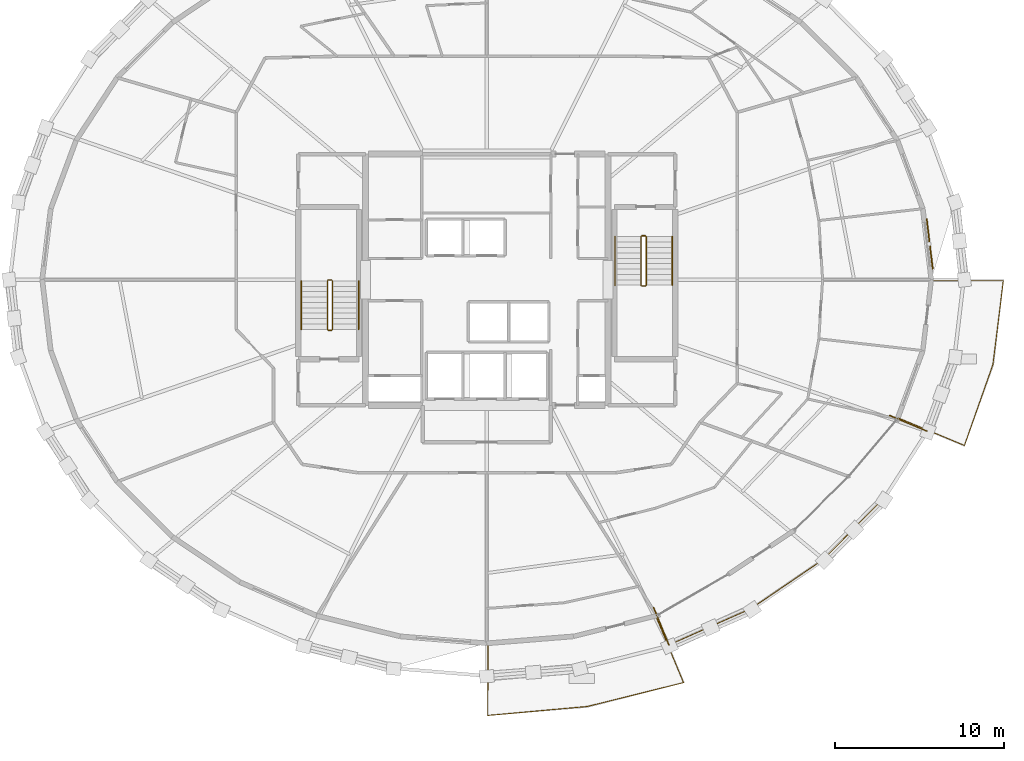
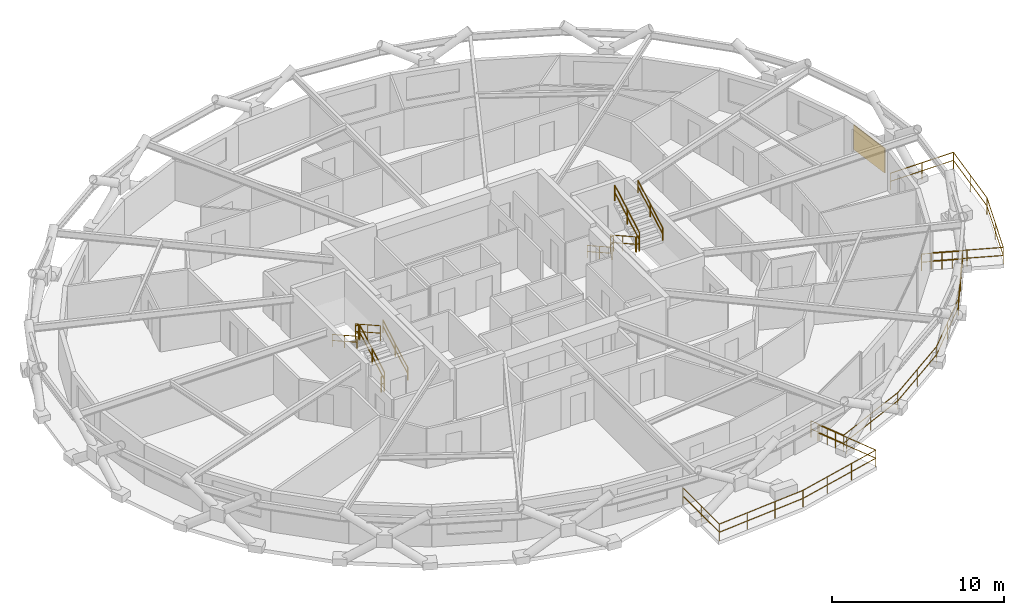
# One storey, part 14 of 14: 17 railings, 1 shading device.
"""IFC4 building model written with IfcOpenShell, lengths in metres."""

from ifc_helpers import new_model, si_unit, direction, frame, origin, origin_2d, place, context, subcontext, project, spatial, rectangle, circle, extrude, material, layer, layer_set, type_object, element, save


model = new_model("IFC4")

# Units and contexts
model_context = context("Model", 3, precision=1e-05, world=origin(), true_north=direction((0.0, 1.0)))
body_context = subcontext(model_context, "Body", "Model", "MODEL_VIEW")
ifc_project = project(units=[si_unit("LENGTHUNIT", "METRE"), si_unit("AREAUNIT", "SQUARE_METRE"), si_unit("VOLUMEUNIT", "CUBIC_METRE"), si_unit("PLANEANGLEUNIT", "RADIAN"), si_unit("MASSUNIT", "GRAM", prefix="KILO")], contexts=[model_context])

# Site, building, storey
site_placement = place(None, origin())
site = spatial("IfcSite", under=ifc_project, at=site_placement, CompositionType="ELEMENT")
building_placement = place(site_placement, origin())
building = spatial("IfcBuilding", under=site, at=building_placement, Name="Veldorina Hangang Commons", CompositionType="ELEMENT")
storey_placement = place(building_placement, frame((0.0, 0.0, 149.60009765625)))
storey = spatial("IfcBuildingStorey", under=building, at=storey_placement, Name="L38", CompositionType="ELEMENT", Elevation=149.60009765625)

# Railings
ifc_material_1 = material(Name="Glass Laminated Safety Balustrade", Category="glass")
railing_type_1 = type_object("IfcRailingType", Name="RL-BAL-LOGGIA", PredefinedType="BALUSTRADE", material=ifc_material_1)
railing_1_placement = place(storey_placement, frame((41.8935546875, 4.555419921875, 0.0)))
element("IfcRailing", 1, at=railing_1_placement, inside=storey, type_object=railing_type_1, Name="L38 sky-garden loggia end balustrade A", PredefinedType="BALUSTRADE", context=body_context, shape_type="SweptSolid", body=[
    extrude(circle(Radius=0.02392578125, at=origin_2d()), frame((0.0, 0.0, 1.17578125), z_axis=(0.379409011694, -0.925229053719, 0.0), x_axis=(0.925229053719, 0.379409011694, 0.0)), (0.0, 0.0, 1.0), 2.400146484375),
    extrude(circle(Radius=0.02392578125, at=origin_2d()), frame((0.0, 0.0, 0.60009765625), z_axis=(0.379409011694, -0.925229053719, 0.0), x_axis=(0.925229053719, 0.379409011694, 0.0)), (0.0, 0.0, 1.0), 2.400146484375),
    extrude(circle(Radius=0.02099609375, at=origin_2d()), origin(), (0.0, 0.0, 1.0), 1.15185546875),
    extrude(circle(Radius=0.02099609375, at=origin_2d()), frame((0.2275390625, -0.55517578125, 0.0)), (0.0, 0.0, 1.0), 1.15185546875),
    extrude(circle(Radius=0.02099609375, at=origin_2d()), frame((0.455322265625, -1.1103515625, 0.0)), (0.0, 0.0, 1.0), 1.15185546875),
    extrude(circle(Radius=0.02099609375, at=origin_2d()), frame((0.68310546875, -1.66552734375, 0.0)), (0.0, 0.0, 1.0), 1.15185546875),
    extrude(circle(Radius=0.02099609375, at=origin_2d()), frame((0.91064453125, -2.220703125, 0.0)), (0.0, 0.0, 1.0), 1.15185546875),
])
railing_2_placement = place(storey_placement, frame((55.87939453125, 15.94775390625, 0.0)))
element("IfcRailing", 2, at=railing_2_placement, inside=storey, type_object=railing_type_1, Name="L38 sky-garden loggia end balustrade B", PredefinedType="BALUSTRADE", context=body_context, shape_type="SweptSolid", body=[
    extrude(circle(Radius=0.02392578125, at=origin_2d()), frame((0.0, 0.0, 1.17578125), z_axis=(0.922664112697, -0.385604635788, 0.0), x_axis=(0.385604635788, 0.922664112697, 0.0)), (0.0, 0.0, 1.0), 2.400146484375),
    extrude(circle(Radius=0.02392578125, at=origin_2d()), frame((0.0, 0.0, 0.60009765625), z_axis=(0.922664112697, -0.385604635788, 0.0), x_axis=(0.385604635788, 0.922664112697, 0.0)), (0.0, 0.0, 1.0), 2.400146484375),
    extrude(circle(Radius=0.02099609375, at=origin_2d()), origin(), (0.0, 0.0, 1.0), 1.15185546875),
    extrude(circle(Radius=0.02099609375, at=origin_2d()), frame((0.5537109375, -0.2314453125, 0.0)), (0.0, 0.0, 1.0), 1.15185546875),
    extrude(circle(Radius=0.02099609375, at=origin_2d()), frame((1.107421875, -0.462890625, 0.0)), (0.0, 0.0, 1.0), 1.15185546875),
    extrude(circle(Radius=0.02099609375, at=origin_2d()), frame((1.660888671875, -0.694091796875, 0.0)), (0.0, 0.0, 1.0), 1.15185546875),
    extrude(circle(Radius=0.02099609375, at=origin_2d()), frame((2.214599609375, -0.925537109375, 0.0)), (0.0, 0.0, 1.0), 1.15185546875),
])
railing_3_placement = place(storey_placement, frame((42.80419921875, 2.334716796875, 0.0)))
element("IfcRailing", 3, at=railing_3_placement, inside=storey, type_object=railing_type_1, Name="L38 sky-garden loggia outer balustrade", PredefinedType="BALUSTRADE", context=body_context, shape_type="SweptSolid", body=[
    extrude(circle(Radius=0.02392578125, at=origin_2d()), frame((0.0, 0.0, 1.17578125), z_axis=(0.914182494417, 0.4053028089, 0.0), x_axis=(-0.4053028089, 0.914182494417, 0.0)), (0.0, 0.0, 1.0), 5.341064453125),
    extrude(circle(Radius=0.02392578125, at=origin_2d()), frame((0.0, 0.0, 0.60009765625), z_axis=(0.914182494417, 0.4053028089, 0.0), x_axis=(-0.4053028089, 0.914182494417, 0.0)), (0.0, 0.0, 1.0), 5.341064453125),
    extrude(circle(Radius=0.02392578125, at=origin_2d()), frame((4.8828125, 2.164794921875, 1.17578125), z_axis=(0.826593181943, 0.562799885897, 0.0), x_axis=(-0.562799885897, 0.826593181943, 0.0)), (0.0, 0.0, 1.0), 5.17919921875),
    extrude(circle(Radius=0.02392578125, at=origin_2d()), frame((4.8828125, 2.164794921875, 0.60009765625), z_axis=(0.826593181943, 0.562799885897, 0.0), x_axis=(-0.562799885897, 0.826593181943, 0.0)), (0.0, 0.0, 1.0), 5.17919921875),
    extrude(circle(Radius=0.02392578125, at=origin_2d()), frame((9.163818359375, 5.07958984375, 1.17578125), z_axis=(0.703212178888, 0.710980049976, 0.0), x_axis=(-0.710980049976, 0.703212178888, 0.0)), (0.0, 0.0, 1.0), 4.997314453125),
    extrude(circle(Radius=0.02392578125, at=origin_2d()), frame((9.163818359375, 5.07958984375, 0.60009765625), z_axis=(0.703212178888, 0.710980049976, 0.0), x_axis=(-0.710980049976, 0.703212178888, 0.0)), (0.0, 0.0, 1.0), 4.997314453125),
    extrude(circle(Radius=0.02392578125, at=origin_2d()), frame((12.677978515625, 8.632568359375, 1.17578125), z_axis=(0.541501834785, 0.840699567577, 0.0), x_axis=(-0.840699567577, 0.541501834785, 0.0)), (0.0, 0.0, 1.0), 4.8232421875),
    extrude(circle(Radius=0.02392578125, at=origin_2d()), frame((12.677978515625, 8.632568359375, 0.60009765625), z_axis=(0.541501834785, 0.840699567577, 0.0), x_axis=(-0.840699567577, 0.541501834785, 0.0)), (0.0, 0.0, 1.0), 4.8232421875),
    extrude(circle(Radius=0.02099609375, at=origin_2d()), origin(), (0.0, 0.0, 1.0), 1.15185546875),
    extrude(circle(Radius=0.02099609375, at=origin_2d()), frame((2.44140625, 1.08251953125, 0.0)), (0.0, 0.0, 1.0), 1.15185546875),
    extrude(circle(Radius=0.02099609375, at=origin_2d()), frame((4.8828125, 2.164794921875, 0.0)), (0.0, 0.0, 1.0), 1.15185546875),
    extrude(circle(Radius=0.02099609375, at=origin_2d()), frame((7.0234375, 3.6220703125, 0.0)), (0.0, 0.0, 1.0), 1.15185546875),
    extrude(circle(Radius=0.02099609375, at=origin_2d()), frame((9.163818359375, 5.07958984375, 0.0)), (0.0, 0.0, 1.0), 1.15185546875),
    extrude(circle(Radius=0.02099609375, at=origin_2d()), frame((10.9208984375, 6.85595703125, 0.0)), (0.0, 0.0, 1.0), 1.15185546875),
    extrude(circle(Radius=0.02099609375, at=origin_2d()), frame((12.677978515625, 8.632568359375, 0.0)), (0.0, 0.0, 1.0), 1.15185546875),
    extrude(circle(Radius=0.02099609375, at=origin_2d()), frame((13.98388671875, 10.66015625, 0.0)), (0.0, 0.0, 1.0), 1.15185546875),
    extrude(circle(Radius=0.02099609375, at=origin_2d()), frame((15.289794921875, 12.6875, 0.0)), (0.0, 0.0, 1.0), 1.15185546875),
])
railing_4_placement = place(storey_placement, frame((32.06787109375, 2.394775390625, 0.0)))
element("IfcRailing", 4, at=railing_4_placement, inside=storey, type_object=railing_type_1, Name="L38 planted tree balcony 1 balustrade", PredefinedType="BALUSTRADE", context=body_context, shape_type="SweptSolid", body=[
    extrude(circle(Radius=0.02392578125, at=origin_2d()), frame((0.0, 0.0, 1.17578125), z_axis=(-0.001381929929, -0.999999045134, 0.0), x_axis=(0.999999045134, -0.001381929929, 0.0)), (0.0, 0.0, 1.0), 4.239990234375),
    extrude(circle(Radius=0.02392578125, at=origin_2d()), frame((0.0, 0.0, 0.60009765625), z_axis=(-0.001381929929, -0.999999045134, 0.0), x_axis=(0.999999045134, -0.001381929929, 0.0)), (0.0, 0.0, 1.0), 4.239990234375),
    extrude(circle(Radius=0.02392578125, at=origin_2d()), frame((-0.005859375, -4.239990234375, 1.17578125), z_axis=(0.995956711179, 0.089834455851, 0.0), x_axis=(-0.089834455851, 0.995956711179, 0.0)), (0.0, 0.0, 1.0), 5.9326171875),
    extrude(circle(Radius=0.02392578125, at=origin_2d()), frame((-0.005859375, -4.239990234375, 0.60009765625), z_axis=(0.995956711179, 0.089834455851, 0.0), x_axis=(-0.089834455851, 0.995956711179, 0.0)), (0.0, 0.0, 1.0), 5.9326171875),
    extrude(circle(Radius=0.02392578125, at=origin_2d()), frame((5.90283203125, -3.70703125, 1.17578125), z_axis=(0.970561697264, 0.240852635035, 0.0), x_axis=(-0.240852635035, 0.970561697264, 0.0)), (0.0, 0.0, 1.0), 5.8720703125),
    extrude(circle(Radius=0.02392578125, at=origin_2d()), frame((5.90283203125, -3.70703125, 0.60009765625), z_axis=(0.970561697264, 0.240852635035, 0.0), x_axis=(-0.240852635035, 0.970561697264, 0.0)), (0.0, 0.0, 1.0), 5.8720703125),
    extrude(circle(Radius=0.02392578125, at=origin_2d()), frame((11.60205078125, -2.292724609375, 1.17578125), z_axis=(-0.384554068765, 0.923102468958, 0.0), x_axis=(-0.923102468958, -0.384554068765, 0.0)), (0.0, 0.0, 1.0), 4.240966796875),
    extrude(circle(Radius=0.02392578125, at=origin_2d()), frame((11.60205078125, -2.292724609375, 0.60009765625), z_axis=(-0.384554068765, 0.923102468958, 0.0), x_axis=(-0.923102468958, -0.384554068765, 0.0)), (0.0, 0.0, 1.0), 4.240966796875),
    extrude(circle(Radius=0.02099609375, at=origin_2d()), origin(), (0.0, 0.0, 1.0), 1.15185546875),
    extrude(circle(Radius=0.02099609375, at=origin_2d()), frame((-0.0029296875, -2.1201171875, 0.0)), (0.0, 0.0, 1.0), 1.15185546875),
    extrude(circle(Radius=0.02099609375, at=origin_2d()), frame((-0.005859375, -4.239990234375, 0.0)), (0.0, 0.0, 1.0), 1.15185546875),
    extrude(circle(Radius=0.02099609375, at=origin_2d()), frame((1.963623046875, -4.062255859375, 0.0)), (0.0, 0.0, 1.0), 1.15185546875),
    extrude(circle(Radius=0.02099609375, at=origin_2d()), frame((3.933349609375, -3.884765625, 0.0)), (0.0, 0.0, 1.0), 1.15185546875),
    extrude(circle(Radius=0.02099609375, at=origin_2d()), frame((5.90283203125, -3.70703125, 0.0)), (0.0, 0.0, 1.0), 1.15185546875),
    extrude(circle(Radius=0.02099609375, at=origin_2d()), frame((7.802490234375, -3.235595703125, 0.0)), (0.0, 0.0, 1.0), 1.15185546875),
    extrude(circle(Radius=0.02099609375, at=origin_2d()), frame((9.702392578125, -2.76416015625, 0.0)), (0.0, 0.0, 1.0), 1.15185546875),
    extrude(circle(Radius=0.02099609375, at=origin_2d()), frame((11.60205078125, -2.292724609375, 0.0)), (0.0, 0.0, 1.0), 1.15185546875),
    extrude(circle(Radius=0.02099609375, at=origin_2d()), frame((10.78662109375, -0.33544921875, 0.0)), (0.0, 0.0, 1.0), 1.15185546875),
    extrude(circle(Radius=0.02099609375, at=origin_2d()), frame((9.97119140625, 1.6220703125, 0.0)), (0.0, 0.0, 1.0), 1.15185546875),
])
railing_5_placement = place(storey_placement, frame((56.423583984375, 15.791259765625, 0.0)))
element("IfcRailing", 5, at=railing_5_placement, inside=storey, type_object=railing_type_1, Name="L38 planted tree balcony 2 balustrade", PredefinedType="BALUSTRADE", context=body_context, shape_type="SweptSolid", body=[
    extrude(circle(Radius=0.02392578125, at=origin_2d()), frame((0.0, 0.0, 1.17578125), z_axis=(0.923346359726, -0.383968097609, 0.0), x_axis=(0.383968097609, 0.923346359726, 0.0)), (0.0, 0.0, 1.0), 4.232177734375),
    extrude(circle(Radius=0.02392578125, at=origin_2d()), frame((0.0, 0.0, 0.60009765625), z_axis=(0.923346359726, -0.383968097609, 0.0), x_axis=(0.383968097609, 0.923346359726, 0.0)), (0.0, 0.0, 1.0), 4.232177734375),
    extrude(circle(Radius=0.02392578125, at=origin_2d()), frame((3.90771484375, -1.625, 1.17578125), z_axis=(0.331536803498, 0.943442286484, 0.0), x_axis=(-0.943442286484, 0.331536803498, 0.0)), (0.0, 0.0, 1.0), 5.086181640625),
    extrude(circle(Radius=0.02392578125, at=origin_2d()), frame((3.90771484375, -1.625, 0.60009765625), z_axis=(0.331536803498, 0.943442286484, 0.0), x_axis=(-0.943442286484, 0.331536803498, 0.0)), (0.0, 0.0, 1.0), 5.086181640625),
    extrude(circle(Radius=0.02392578125, at=origin_2d()), frame((5.593994140625, 3.173583984375, 1.17578125), z_axis=(0.123495516303, 0.992345130211, 0.0), x_axis=(-0.992345130211, 0.123495516303, 0.0)), (0.0, 0.0, 1.0), 5.015380859375),
    extrude(circle(Radius=0.02392578125, at=origin_2d()), frame((5.593994140625, 3.173583984375, 0.60009765625), z_axis=(0.123495516303, 0.992345130211, 0.0), x_axis=(-0.992345130211, 0.123495516303, 0.0)), (0.0, 0.0, 1.0), 5.015380859375),
    extrude(circle(Radius=0.02392578125, at=origin_2d()), frame((6.21337890625, 8.150634765625, 1.17578125), z_axis=(-0.999997470122, -0.002249388703, 0.0), x_axis=(0.002249388703, -0.999997470122, 0.0)), (0.0, 0.0, 1.0), 4.23291015625),
    extrude(circle(Radius=0.02392578125, at=origin_2d()), frame((6.21337890625, 8.150634765625, 0.60009765625), z_axis=(-0.999997470122, -0.002249388703, 0.0), x_axis=(0.002249388703, -0.999997470122, 0.0)), (0.0, 0.0, 1.0), 4.23291015625),
    extrude(circle(Radius=0.02099609375, at=origin_2d()), origin(), (0.0, 0.0, 1.0), 1.15185546875),
    extrude(circle(Radius=0.02099609375, at=origin_2d()), frame((1.953857421875, -0.8125, 0.0)), (0.0, 0.0, 1.0), 1.15185546875),
    extrude(circle(Radius=0.02099609375, at=origin_2d()), frame((3.90771484375, -1.625, 0.0)), (0.0, 0.0, 1.0), 1.15185546875),
    extrude(circle(Radius=0.02099609375, at=origin_2d()), frame((4.7509765625, 0.7744140625, 0.0)), (0.0, 0.0, 1.0), 1.15185546875),
    extrude(circle(Radius=0.02099609375, at=origin_2d()), frame((5.593994140625, 3.173583984375, 0.0)), (0.0, 0.0, 1.0), 1.15185546875),
    extrude(circle(Radius=0.02099609375, at=origin_2d()), frame((5.90380859375, 5.662109375, 0.0)), (0.0, 0.0, 1.0), 1.15185546875),
    extrude(circle(Radius=0.02099609375, at=origin_2d()), frame((6.21337890625, 8.150634765625, 0.0)), (0.0, 0.0, 1.0), 1.15185546875),
    extrude(circle(Radius=0.02099609375, at=origin_2d()), frame((4.096923828125, 8.14599609375, 0.0)), (0.0, 0.0, 1.0), 1.15185546875),
    extrude(circle(Radius=0.02099609375, at=origin_2d()), frame((1.98046875, 8.14111328125, 0.0)), (0.0, 0.0, 1.0), 1.15185546875),
])
ifc_material_2 = material(Name="Steel Painted Balustrade", Category="steel")
railing_type_2 = type_object("IfcRailingType", Name="RL-GRD-STAIR", PredefinedType="GUARDRAIL", material=ifc_material_2)
railing_6_placement = place(storey_placement, frame((22.85009765625, 21.050048828125, 0.179931640625)))
element("IfcRailing", 6, at=railing_6_placement, inside=storey, type_object=railing_type_2, Name="L38 ST-1 stair guard 1", PredefinedType="GUARDRAIL", context=body_context, shape_type="SweptSolid", body=[
    extrude(circle(Radius=0.02392578125, at=origin_2d()), frame((0.0, 0.0, 1.076171875), z_axis=(0.0, 0.871583430097, 0.490247207417), x_axis=(-1.0, 0.0, 0.0)), (0.0, 0.0, 1.0), 3.30419921875),
    extrude(circle(Radius=0.02392578125, at=origin_2d()), frame((0.0, 0.0, 0.550048828125), z_axis=(0.0, 0.871583430097, 0.490247207417), x_axis=(-1.0, 0.0, 0.0)), (0.0, 0.0, 1.0), 3.30419921875),
    extrude(circle(Radius=0.02099609375, at=origin_2d()), origin(), (0.0, 0.0, 1.0), 1.052001953125),
    extrude(circle(Radius=0.02099609375, at=origin_2d()), frame((0.0, 1.43994140625, 0.81005859375)), (0.0, 0.0, 1.0), 1.052001953125),
    extrude(circle(Radius=0.02099609375, at=origin_2d()), frame((0.0, 2.8798828125, 1.619873046875)), (0.0, 0.0, 1.0), 1.052001953125),
])
railing_7_placement = place(storey_placement, frame((22.800048828125, 23.97998046875, 1.7998046875)))
element("IfcRailing", 7, at=railing_7_placement, inside=storey, type_object=railing_type_2, Name="L38 ST-1 stair guard 2", PredefinedType="GUARDRAIL", context=body_context, shape_type="SweptSolid", body=[
    extrude(circle(Radius=0.02392578125, at=origin_2d()), frame((0.0, 0.0, 1.076171875), z_axis=(-1.0, 0.0, 0.0), x_axis=(0.0, -1.0, 0.0)), (0.0, 0.0, 1.0), 0.199951171875),
    extrude(circle(Radius=0.02392578125, at=origin_2d()), frame((0.0, 0.0, 0.550048828125), z_axis=(-1.0, 0.0, 0.0), x_axis=(0.0, -1.0, 0.0)), (0.0, 0.0, 1.0), 0.199951171875),
    extrude(circle(Radius=0.02099609375, at=origin_2d()), origin(), (0.0, 0.0, 1.0), 1.052001953125),
    extrude(circle(Radius=0.02099609375, at=origin_2d()), frame((-0.199951171875, 0.0, 0.0)), (0.0, 0.0, 1.0), 1.052001953125),
])
railing_8_placement = place(storey_placement, frame((22.550048828125, 23.929931640625, 1.97998046875)))
element("IfcRailing", 8, at=railing_8_placement, inside=storey, type_object=railing_type_2, Name="L38 ST-1 stair guard 3", PredefinedType="GUARDRAIL", context=body_context, shape_type="SweptSolid", body=[
    extrude(circle(Radius=0.02392578125, at=origin_2d()), frame((0.0, 0.0, 1.076171875), z_axis=(0.0, -0.871583430097, 0.490247207417), x_axis=(1.0, 0.0, 0.0)), (0.0, 0.0, 1.0), 3.30419921875),
    extrude(circle(Radius=0.02392578125, at=origin_2d()), frame((0.0, 0.0, 0.550048828125), z_axis=(0.0, -0.871583430097, 0.490247207417), x_axis=(1.0, 0.0, 0.0)), (0.0, 0.0, 1.0), 3.30419921875),
    extrude(circle(Radius=0.02099609375, at=origin_2d()), origin(), (0.0, 0.0, 1.0), 1.052001953125),
    extrude(circle(Radius=0.02099609375, at=origin_2d()), frame((0.0, -1.43994140625, 0.81005859375)), (0.0, 0.0, 1.0), 1.052001953125),
    extrude(circle(Radius=0.02099609375, at=origin_2d()), frame((0.0, -2.8798828125, 1.619873046875)), (0.0, 0.0, 1.0), 1.052001953125),
])
railing_9_placement = place(storey_placement, frame((22.800048828125, 21.0, 0.0)))
element("IfcRailing", 9, at=railing_9_placement, inside=storey, type_object=railing_type_2, Name="L38 ST-1 stair guard 4", PredefinedType="GUARDRAIL", context=body_context, shape_type="SweptSolid", body=[
    extrude(circle(Radius=0.02392578125, at=origin_2d()), frame((0.0, 0.0, 1.076171875), z_axis=(-1.0, 0.0, 0.0), x_axis=(0.0, -1.0, 0.0)), (0.0, 0.0, 1.0), 0.199951171875),
    extrude(circle(Radius=0.02392578125, at=origin_2d()), frame((0.0, 0.0, 0.550048828125), z_axis=(-1.0, 0.0, 0.0), x_axis=(0.0, -1.0, 0.0)), (0.0, 0.0, 1.0), 0.199951171875),
    extrude(circle(Radius=0.02099609375, at=origin_2d()), origin(), (0.0, 0.0, 1.0), 1.052001953125),
    extrude(circle(Radius=0.02099609375, at=origin_2d()), frame((-0.199951171875, 0.0, 0.0)), (0.0, 0.0, 1.0), 1.052001953125),
])
railing_10_placement = place(storey_placement, frame((41.14990234375, 26.550048828125, 0.179931640625)))
element("IfcRailing", 10, at=railing_10_placement, inside=storey, type_object=railing_type_2, Name="L38 ST-2 stair guard 1", PredefinedType="GUARDRAIL", context=body_context, shape_type="SweptSolid", body=[
    extrude(circle(Radius=0.02392578125, at=origin_2d()), frame((0.0, 0.0, 1.076171875), z_axis=(0.0, -0.871601186807, 0.490215637405), x_axis=(1.0, 0.0, 0.0)), (0.0, 0.0, 1.0), 3.304443359375),
    extrude(circle(Radius=0.02392578125, at=origin_2d()), frame((0.0, 0.0, 0.550048828125), z_axis=(0.0, -0.871601186807, 0.490215637405), x_axis=(1.0, 0.0, 0.0)), (0.0, 0.0, 1.0), 3.304443359375),
    extrude(circle(Radius=0.02099609375, at=origin_2d()), origin(), (0.0, 0.0, 1.0), 1.052001953125),
    extrude(circle(Radius=0.02099609375, at=origin_2d()), frame((0.0, -1.43994140625, 0.81005859375)), (0.0, 0.0, 1.0), 1.052001953125),
    extrude(circle(Radius=0.02099609375, at=origin_2d()), frame((0.0, -2.880126953125, 1.619873046875)), (0.0, 0.0, 1.0), 1.052001953125),
])
railing_11_placement = place(storey_placement, frame((41.199951171875, 23.6201171875, 1.7998046875)))
element("IfcRailing", 11, at=railing_11_placement, inside=storey, type_object=railing_type_2, Name="L38 ST-2 stair guard 2", PredefinedType="GUARDRAIL", context=body_context, shape_type="SweptSolid", body=[
    extrude(circle(Radius=0.02392578125, at=origin_2d()), frame((0.0, 0.0, 1.076171875), z_axis=(1.0, 0.0, 0.0), x_axis=(0.0, 1.0, 0.0)), (0.0, 0.0, 1.0), 0.199951171875),
    extrude(circle(Radius=0.02392578125, at=origin_2d()), frame((0.0, 0.0, 0.550048828125), z_axis=(1.0, 0.0, 0.0), x_axis=(0.0, 1.0, 0.0)), (0.0, 0.0, 1.0), 0.199951171875),
    extrude(circle(Radius=0.02099609375, at=origin_2d()), origin(), (0.0, 0.0, 1.0), 1.052001953125),
    extrude(circle(Radius=0.02099609375, at=origin_2d()), frame((0.199951171875, 0.0, 0.0)), (0.0, 0.0, 1.0), 1.052001953125),
])
railing_12_placement = place(storey_placement, frame((41.449951171875, 23.669921875, 1.97998046875)))
element("IfcRailing", 12, at=railing_12_placement, inside=storey, type_object=railing_type_2, Name="L38 ST-2 stair guard 3", PredefinedType="GUARDRAIL", context=body_context, shape_type="SweptSolid", body=[
    extrude(circle(Radius=0.02392578125, at=origin_2d()), frame((0.0, 0.0, 1.076171875), z_axis=(0.0, 0.871601186807, 0.490215637405), x_axis=(-1.0, 0.0, 0.0)), (0.0, 0.0, 1.0), 3.304443359375),
    extrude(circle(Radius=0.02392578125, at=origin_2d()), frame((0.0, 0.0, 0.550048828125), z_axis=(0.0, 0.871601186807, 0.490215637405), x_axis=(-1.0, 0.0, 0.0)), (0.0, 0.0, 1.0), 3.304443359375),
    extrude(circle(Radius=0.02099609375, at=origin_2d()), origin(), (0.0, 0.0, 1.0), 1.052001953125),
    extrude(circle(Radius=0.02099609375, at=origin_2d()), frame((0.0, 1.43994140625, 0.81005859375)), (0.0, 0.0, 1.0), 1.052001953125),
    extrude(circle(Radius=0.02099609375, at=origin_2d()), frame((0.0, 2.880126953125, 1.619873046875)), (0.0, 0.0, 1.0), 1.052001953125),
])
railing_13_placement = place(storey_placement, frame((41.199951171875, 26.60009765625, 0.0)))
element("IfcRailing", 13, at=railing_13_placement, inside=storey, type_object=railing_type_2, Name="L38 ST-2 stair guard 4", PredefinedType="GUARDRAIL", context=body_context, shape_type="SweptSolid", body=[
    extrude(circle(Radius=0.02392578125, at=origin_2d()), frame((0.0, 0.0, 1.076171875), z_axis=(1.0, 0.0, 0.0), x_axis=(0.0, 1.0, 0.0)), (0.0, 0.0, 1.0), 0.199951171875),
    extrude(circle(Radius=0.02392578125, at=origin_2d()), frame((0.0, 0.0, 0.550048828125), z_axis=(1.0, 0.0, 0.0), x_axis=(0.0, 1.0, 0.0)), (0.0, 0.0, 1.0), 0.199951171875),
    extrude(circle(Radius=0.02099609375, at=origin_2d()), origin(), (0.0, 0.0, 1.0), 1.052001953125),
    extrude(circle(Radius=0.02099609375, at=origin_2d()), frame((0.199951171875, 0.0, 0.0)), (0.0, 0.0, 1.0), 1.052001953125),
])
ifc_material_3 = material(Name="Stainless Steel Brushed 316", Category="steel")
railing_type_3 = type_object("IfcRailingType", Name="RL-HND-STAIR", PredefinedType="HANDRAIL", material=ifc_material_3)
railing_14_placement = place(storey_placement, frame((24.39990234375, 21.050048828125, 0.179931640625)))
element("IfcRailing", 14, at=railing_14_placement, inside=storey, type_object=railing_type_3, Name="L38 ST-1 stair handrail 1", PredefinedType="HANDRAIL", context=body_context, shape_type="SweptSolid", body=[
    extrude(circle(Radius=0.02392578125, at=origin_2d()), frame((0.0, 0.0, 0.8759765625), z_axis=(0.0, 0.871583430097, 0.490247207417), x_axis=(-1.0, 0.0, 0.0)), (0.0, 0.0, 1.0), 3.30419921875),
    extrude(circle(Radius=0.02392578125, at=origin_2d()), frame((0.0, 0.0, 0.449951171875), z_axis=(0.0, 0.871583430097, 0.490247207417), x_axis=(-1.0, 0.0, 0.0)), (0.0, 0.0, 1.0), 3.30419921875),
    extrude(circle(Radius=0.02099609375, at=origin_2d()), origin(), (0.0, 0.0, 1.0), 0.851806640625),
    extrude(circle(Radius=0.02099609375, at=origin_2d()), frame((0.0, 1.43994140625, 0.81005859375)), (0.0, 0.0, 1.0), 0.851806640625),
    extrude(circle(Radius=0.02099609375, at=origin_2d()), frame((0.0, 2.8798828125, 1.619873046875)), (0.0, 0.0, 1.0), 0.851806640625),
])
railing_15_placement = place(storey_placement, frame((21.0, 23.929931640625, 1.97998046875)))
element("IfcRailing", 15, at=railing_15_placement, inside=storey, type_object=railing_type_3, Name="L38 ST-1 stair handrail 2", PredefinedType="HANDRAIL", context=body_context, shape_type="SweptSolid", body=[
    extrude(circle(Radius=0.02392578125, at=origin_2d()), frame((0.0, 0.0, 0.8759765625), z_axis=(0.0, -0.871583430097, 0.490247207417), x_axis=(1.0, 0.0, 0.0)), (0.0, 0.0, 1.0), 3.30419921875),
    extrude(circle(Radius=0.02392578125, at=origin_2d()), frame((0.0, 0.0, 0.449951171875), z_axis=(0.0, -0.871583430097, 0.490247207417), x_axis=(1.0, 0.0, 0.0)), (0.0, 0.0, 1.0), 3.30419921875),
    extrude(circle(Radius=0.02099609375, at=origin_2d()), origin(), (0.0, 0.0, 1.0), 0.851806640625),
    extrude(circle(Radius=0.02099609375, at=origin_2d()), frame((0.0, -1.43994140625, 0.81005859375)), (0.0, 0.0, 1.0), 0.851806640625),
    extrude(circle(Radius=0.02099609375, at=origin_2d()), frame((0.0, -2.8798828125, 1.619873046875)), (0.0, 0.0, 1.0), 0.851806640625),
])
railing_16_placement = place(storey_placement, frame((39.60009765625, 26.550048828125, 0.179931640625)))
element("IfcRailing", 16, at=railing_16_placement, inside=storey, type_object=railing_type_3, Name="L38 ST-2 stair handrail 1", PredefinedType="HANDRAIL", context=body_context, shape_type="SweptSolid", body=[
    extrude(circle(Radius=0.02392578125, at=origin_2d()), frame((0.0, 0.0, 0.8759765625), z_axis=(0.0, -0.871601186807, 0.490215637405), x_axis=(1.0, 0.0, 0.0)), (0.0, 0.0, 1.0), 3.304443359375),
    extrude(circle(Radius=0.02392578125, at=origin_2d()), frame((0.0, 0.0, 0.449951171875), z_axis=(0.0, -0.871601186807, 0.490215637405), x_axis=(1.0, 0.0, 0.0)), (0.0, 0.0, 1.0), 3.304443359375),
    extrude(circle(Radius=0.02099609375, at=origin_2d()), origin(), (0.0, 0.0, 1.0), 0.851806640625),
    extrude(circle(Radius=0.02099609375, at=origin_2d()), frame((0.0, -1.43994140625, 0.81005859375)), (0.0, 0.0, 1.0), 0.851806640625),
    extrude(circle(Radius=0.02099609375, at=origin_2d()), frame((0.0, -2.880126953125, 1.619873046875)), (0.0, 0.0, 1.0), 0.851806640625),
])
railing_17_placement = place(storey_placement, frame((43.0, 23.669921875, 1.97998046875)))
element("IfcRailing", 17, at=railing_17_placement, inside=storey, type_object=railing_type_3, Name="L38 ST-2 stair handrail 2", PredefinedType="HANDRAIL", context=body_context, shape_type="SweptSolid", body=[
    extrude(circle(Radius=0.02392578125, at=origin_2d()), frame((0.0, 0.0, 0.8759765625), z_axis=(0.0, 0.871601186807, 0.490215637405), x_axis=(-1.0, 0.0, 0.0)), (0.0, 0.0, 1.0), 3.304443359375),
    extrude(circle(Radius=0.02392578125, at=origin_2d()), frame((0.0, 0.0, 0.449951171875), z_axis=(0.0, 0.871601186807, 0.490215637405), x_axis=(-1.0, 0.0, 0.0)), (0.0, 0.0, 1.0), 3.304443359375),
    extrude(circle(Radius=0.02099609375, at=origin_2d()), origin(), (0.0, 0.0, 1.0), 0.851806640625),
    extrude(circle(Radius=0.02099609375, at=origin_2d()), frame((0.0, 1.43994140625, 0.81005859375)), (0.0, 0.0, 1.0), 0.851806640625),
    extrude(circle(Radius=0.02099609375, at=origin_2d()), frame((0.0, 2.880126953125, 1.619873046875)), (0.0, 0.0, 1.0), 0.851806640625),
])

# Shading device
ifc_material_4 = material(Name="Ceramic Glazed Terracotta", Category="masonry")
ifc_layer = layer(ifc_material_4, 0.06005859375)
ifc_layer_set = layer_set([ifc_layer], Name="Ceramic Glazed Terracotta")
shading_device_type = type_object("IfcShadingDeviceType", Name="SCR-CER-3000", PredefinedType="USERDEFINED", material=ifc_layer_set)
shading_device_placement = place(storey_placement, frame((58.271484375, 26.123046875, 0.75), z_axis=(0.0, 0.0, 1.0), x_axis=(-0.119530375507, 0.992830544117, 0.0)))
element("IfcShadingDevice", 18, at=shading_device_placement, inside=storey, type_object=shading_device_type, Name="L38 PERFORATED CERAMIC SOLAR SCREEN 00", ObjectType="SCREEN", PredefinedType="USERDEFINED", context=body_context, shape_type="SweptSolid", body=[
    extrude(rectangle(XDim=3.0, YDim=0.06005859375, at=origin_2d()), origin(), (0.0, 0.0, 1.0), 1.75),
])

save(model, "model.ifc")
